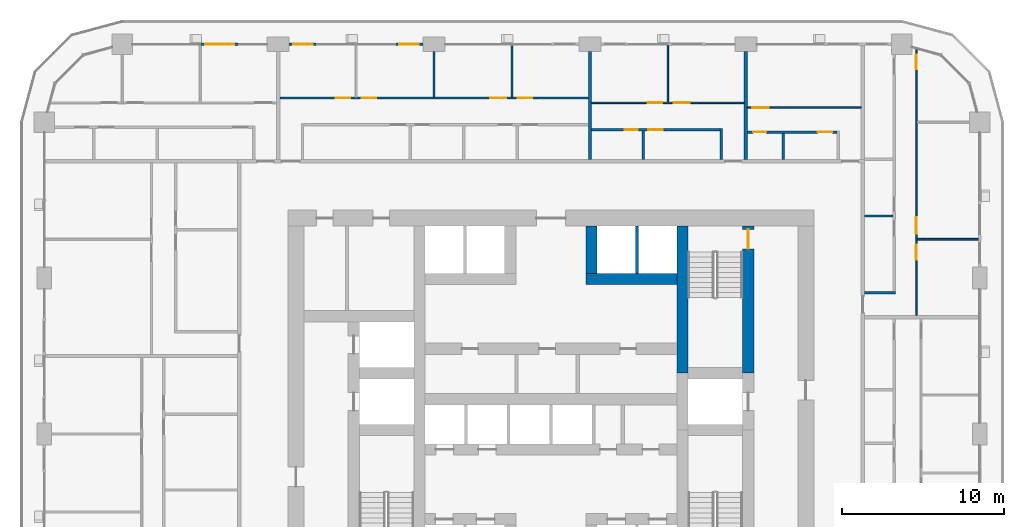
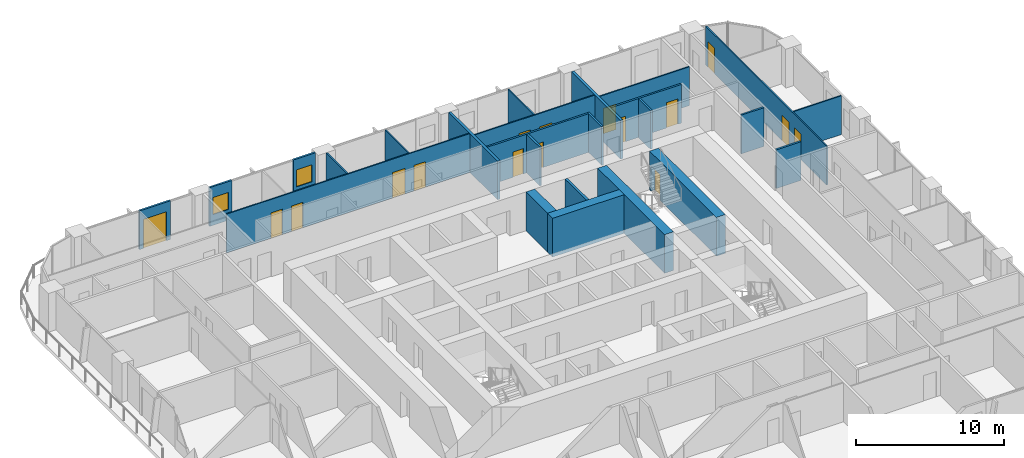
# One storey, part 14 of 21: 25 walls, 16 doors, 2 windows, 18 openings.
"""IFC4 building model written with IfcOpenShell, lengths in metres."""

from ifc_helpers import new_model, si_unit, direction, frame, frame_2d, origin, place, context, subcontext, project, spatial, rectangle, extrude, material, layer, layer_set, type_object, element, fill, save


model = new_model("IFC4")

# Units and contexts
model_context = context("Model", 3, precision=1e-05, world=origin(), true_north=direction((0.0, 1.0)))
body_context = subcontext(model_context, "Body", "Model", "MODEL_VIEW")
ifc_project = project(units=[si_unit("LENGTHUNIT", "METRE"), si_unit("AREAUNIT", "SQUARE_METRE"), si_unit("VOLUMEUNIT", "CUBIC_METRE"), si_unit("PLANEANGLEUNIT", "RADIAN"), si_unit("MASSUNIT", "GRAM", prefix="KILO")], contexts=[model_context])

# Site, building, storey
site_placement = place(None, origin())
site = spatial("IfcSite", under=ifc_project, at=site_placement, CompositionType="ELEMENT")
building_placement = place(site_placement, origin())
building = spatial("IfcBuilding", under=site, at=building_placement, Name="Madar Terraces", CompositionType="ELEMENT")
storey_placement = place(building_placement, frame((0.0, 0.0, 32.89990234375)))
storey = spatial("IfcBuildingStorey", under=building, at=storey_placement, Name="L07", CompositionType="ELEMENT", Elevation=32.89990234375)

# Wall
ifc_material_1 = material(Name="Concrete C80/95", Category="concrete")
ifc_layer_1 = layer(ifc_material_1, 0.699951171875)
ifc_layer_set_1 = layer_set([ifc_layer_1], Name="Concrete C80/95 (CIW1 RC wall 700)")
wall_type_1 = type_object("IfcWallType", Name="CIW1 RC wall 700", PredefinedType="SHEAR", material=ifc_layer_set_1)
wall_1_placement = place(storey_placement, frame((39.300048828125, 27.75, 0.0), z_axis=(0.0, 0.0, 1.0), x_axis=(0.0, 1.0, 0.0)))
element("IfcWall", 1, at=wall_1_placement, inside=storey, type_object=wall_type_1, Name="CORE SHAFT WALL", PredefinedType="SHEAR", context=body_context, shape_type="SweptSolid", body=[
    extrude(rectangle(XDim=9.050048828125, YDim=0.699951171875, at=frame_2d((4.52490234375, 0.0))), origin(), (0.0, 0.0, 1.0), 3.2001953125),
])

# Wall, opening, door
wall_2_placement = place(storey_placement, frame((43.35009765625, 27.75, 0.0), z_axis=(0.0, 0.0, 1.0), x_axis=(0.0, 1.0, 0.0)))
wall_2 = element("IfcWall", 2, at=wall_2_placement, inside=storey, type_object=wall_type_1, Name="CORE SHAFT WALL", PredefinedType="SHEAR", context=body_context, shape_type="SweptSolid", body=[
    extrude(rectangle(XDim=9.050048828125, YDim=0.699951171875, at=frame_2d((4.52490234375, 0.0))), origin(), (0.0, 0.0, 1.0), 3.2001953125),
])
opening_1_placement = place(wall_2_placement, frame((7.64990234375, 0.0, 0.0)))
opening_1 = element("IfcOpeningElement", 3, at=opening_1_placement, cuts=wall_2, Name="Opening SD1", PredefinedType="OPENING", context=body_context, shape_type="SweptSolid", body=[
    extrude(rectangle(XDim=1.199951171875, YDim=2.10009765625, at=frame_2d((0.60009765625, 1.050048828125))), frame((0.0, 0.35986328125, 0.0), z_axis=(0.0, -1.0, 0.0), x_axis=(1.0, 0.0, 0.0)), (0.0, 0.0, 1.0), 0.719970703125),
])
ifc_material_2 = material(Name="Steel door leaf", Category="steel")
door_type_1 = type_object("IfcDoorType", Name="Stair door 1200 x 2100", OperationType="NOTDEFINED", PredefinedType="DOOR", material=ifc_material_2)
door_1_placement = place(opening_1_placement, origin())
door_1 = element("IfcDoor", 4, at=door_1_placement, inside=storey, type_object=door_type_1, Name="STAIR DOOR", OperationType="SINGLE_SWING_LEFT", OverallHeight=2.10009765625, OverallWidth=1.199951171875, PredefinedType="DOOR", context=body_context, shape_type="SweptSolid", body=[
    extrude(rectangle(XDim=1.199951171875, YDim=2.10009765625, at=frame_2d((0.60009765625, 1.050048828125))), frame((0.0, 0.02490234375, 0.0), z_axis=(0.0, -1.0, 0.0), x_axis=(1.0, 0.0, 0.0)), (0.0, 0.0, 1.0), 0.050048828125),
])
fill(opening_1, door_1)

# Walls
wall_3_placement = place(storey_placement, frame((33.35009765625, 33.550048828125, 0.0), z_axis=(0.0, 0.0, 1.0), x_axis=(1.0, 0.0, 0.0)))
element("IfcWall", 5, at=wall_3_placement, inside=storey, type_object=wall_type_1, Name="CORE SHAFT WALL", PredefinedType="SHEAR", context=body_context, shape_type="SweptSolid", body=[
    extrude(rectangle(XDim=5.599853515625, YDim=0.699951171875, at=frame_2d((2.7998046875, 0.0))), origin(), (0.0, 0.0, 1.0), 3.2001953125),
])
wall_4_placement = place(storey_placement, frame((33.699951171875, 33.89990234375, 0.0), z_axis=(0.0, 0.0, 1.0), x_axis=(0.0, 1.0, 0.0)))
element("IfcWall", 6, at=wall_4_placement, inside=storey, type_object=wall_type_1, Name="CORE SHAFT WALL", PredefinedType="SHEAR", context=body_context, shape_type="SweptSolid", body=[
    extrude(rectangle(XDim=2.900146484375, YDim=0.699951171875, at=frame_2d((1.4501953125, 0.0))), origin(), (0.0, 0.0, 1.0), 3.2001953125),
])
ifc_material_3 = material(Name="Concrete C40/50", Category="concrete")
ifc_layer_2 = layer(ifc_material_3, 0.199951171875)
ifc_layer_set_2 = layer_set([ifc_layer_2], Name="Core shaft dividing wall 200 C40/50")
wall_type_2 = type_object("IfcWallType", Name="Core shaft dividing wall 200 C40/50", PredefinedType="SOLIDWALL", material=ifc_layer_set_2)
wall_5_placement = place(storey_placement, frame((36.5, 33.89990234375, 0.0), z_axis=(0.0, 0.0, 1.0), x_axis=(0.0, 1.0, 0.0)))
element("IfcWall", 7, at=wall_5_placement, inside=storey, type_object=wall_type_2, Name="SHAFT DIVIDING WALL", PredefinedType="SOLIDWALL", context=body_context, shape_type="SweptSolid", body=[
    extrude(rectangle(XDim=2.900146484375, YDim=0.199951171875, at=frame_2d((1.4501953125, 0.0))), origin(), (0.0, 0.0, 1.0), 3.2001953125),
])

# Wall, opening, window
ifc_material_4 = material(Name="Aluminium composite panel, black, over insulated backing", Category="aluminium")
ifc_layer_3 = layer(ifc_material_4, 0.14990234375)
ifc_layer_set_3 = layer_set([ifc_layer_3], Name="Facade bay panel 150")
wall_type_3 = type_object("IfcWallType", Name="Facade bay panel 150", PredefinedType="SOLIDWALL", material=ifc_layer_set_3)
wall_6_placement = place(storey_placement, frame((23.324951171875, 48.0, 0.0), z_axis=(0.0, 0.0, 1.0), x_axis=(-1.0, 0.0, 0.0)))
wall_6 = element("IfcWall", 8, at=wall_6_placement, inside=storey, type_object=wall_type_3, Name="Facade bay panel", PredefinedType="SOLIDWALL", context=body_context, shape_type="SweptSolid", body=[
    extrude(rectangle(XDim=1.724853515625, YDim=0.14990234375, at=frame_2d((0.8623046875, 0.0))), origin(), (0.0, 0.0, 1.0), 3.2001953125),
])
opening_2_placement = place(wall_6_placement, frame((0.262451171875, 0.0, 0.89990234375)))
opening_2 = element("IfcOpeningElement", 9, at=opening_2_placement, cuts=wall_6, Name="Opening W1", PredefinedType="OPENING", context=body_context, shape_type="SweptSolid", body=[
    extrude(rectangle(XDim=1.199951171875, YDim=1.39990234375, at=frame_2d((0.60009765625, 0.699951171875))), frame((0.0, 0.0849609375, 0.0), z_axis=(0.0, -1.0, 0.0), x_axis=(1.0, 0.0, 0.0)), (0.0, 0.0, 1.0), 0.169921875),
])
ifc_material_5 = material(Name="Glass, clear, with black aluminium frame", Category="aluminium")
window_type = type_object("IfcWindowType", Name="Vent window 1200 x 1400", PartitioningType="SINGLE_PANEL", PredefinedType="WINDOW", material=ifc_material_5)
window_1_placement = place(opening_2_placement, origin())
window_1 = element("IfcWindow", 10, at=window_1_placement, inside=storey, type_object=window_type, Name="Operable vent window", OverallHeight=1.39990234375, OverallWidth=1.199951171875, PartitioningType="SINGLE_PANEL", PredefinedType="WINDOW", context=body_context, shape_type="SweptSolid", body=[
    extrude(rectangle(XDim=1.199951171875, YDim=1.39990234375, at=frame_2d((0.60009765625, 0.699951171875))), frame((0.0, 0.030029296875, 0.0), z_axis=(0.0, -1.0, 0.0), x_axis=(1.0, 0.0, 0.0)), (0.0, 0.0, 1.0), 0.06005859375),
])
fill(opening_2, window_1)

wall_7_placement = place(storey_placement, frame((16.800048828125, 48.0, 0.0), z_axis=(0.0, 0.0, 1.0), x_axis=(-1.0, 0.0, 0.0)))
wall_7 = element("IfcWall", 11, at=wall_7_placement, inside=storey, type_object=wall_type_3, Name="Facade bay panel", PredefinedType="SOLIDWALL", context=body_context, shape_type="SweptSolid", body=[
    extrude(rectangle(XDim=1.72509765625, YDim=0.14990234375, at=frame_2d((0.862548828125, 0.0))), origin(), (0.0, 0.0, 1.0), 3.2001953125),
])
opening_3_placement = place(wall_7_placement, frame((0.262451171875, 0.0, 0.89990234375)))
opening_3 = element("IfcOpeningElement", 12, at=opening_3_placement, cuts=wall_7, Name="Opening W1", PredefinedType="OPENING", context=body_context, shape_type="SweptSolid", body=[
    extrude(rectangle(XDim=1.199951171875, YDim=1.39990234375, at=frame_2d((0.60009765625, 0.699951171875))), frame((0.0, 0.0849609375, 0.0), z_axis=(0.0, -1.0, 0.0), x_axis=(1.0, 0.0, 0.0)), (0.0, 0.0, 1.0), 0.169921875),
])
window_2_placement = place(opening_3_placement, origin())
window_2 = element("IfcWindow", 13, at=window_2_placement, inside=storey, type_object=window_type, Name="Operable vent window", OverallHeight=1.39990234375, OverallWidth=1.199951171875, PartitioningType="SINGLE_PANEL", PredefinedType="WINDOW", context=body_context, shape_type="SweptSolid", body=[
    extrude(rectangle(XDim=1.199951171875, YDim=1.39990234375, at=frame_2d((0.60009765625, 0.699951171875))), frame((0.0, 0.030029296875, 0.0), z_axis=(0.0, -1.0, 0.0), x_axis=(1.0, 0.0, 0.0)), (0.0, 0.0, 1.0), 0.06005859375),
])
fill(opening_3, window_2)

# Wall, opening, door
wall_8_placement = place(storey_placement, frame((12.0, 48.0, 0.0), z_axis=(0.0, 0.0, 1.0), x_axis=(-1.0, 0.0, 0.0)))
wall_8 = element("IfcWall", 14, at=wall_8_placement, inside=storey, type_object=wall_type_3, Name="Facade bay panel", PredefinedType="SOLIDWALL", context=body_context, shape_type="SweptSolid", body=[
    extrude(rectangle(XDim=2.39990234375, YDim=0.14990234375, at=frame_2d((1.199951171875, 0.0))), origin(), (0.0, 0.0, 1.0), 3.2001953125),
])
opening_4_placement = place(wall_8_placement, frame((0.300048828125, 0.0, 0.0)))
opening_4 = element("IfcOpeningElement", 15, at=opening_4_placement, cuts=wall_8, Name="Opening ED1", PredefinedType="OPENING", context=body_context, shape_type="SweptSolid", body=[
    extrude(rectangle(XDim=1.800048828125, YDim=2.39990234375, at=frame_2d((0.89990234375, 1.199951171875))), frame((0.0, 0.0849609375, 0.0), z_axis=(0.0, -1.0, 0.0), x_axis=(1.0, 0.0, 0.0)), (0.0, 0.0, 1.0), 0.169921875),
])
ifc_material_6 = material(Name="Glass, clear, with black aluminium frame", Category="aluminium")
door_type_2 = type_object("IfcDoorType", Name="Balcony and terrace sliding door 1800 x 2400", OperationType="SLIDING_TO_LEFT", PredefinedType="DOOR", material=ifc_material_6)
door_2_placement = place(opening_4_placement, origin())
door_2 = element("IfcDoor", 16, at=door_2_placement, inside=storey, type_object=door_type_2, Name="Balcony door", OperationType="SLIDING_TO_LEFT", OverallHeight=2.39990234375, OverallWidth=1.800048828125, PredefinedType="DOOR", context=body_context, shape_type="SweptSolid", body=[
    extrude(rectangle(XDim=1.800048828125, YDim=2.39990234375, at=frame_2d((0.89990234375, 1.199951171875))), frame((0.0, 0.02490234375, 0.0), z_axis=(0.0, -1.0, 0.0), x_axis=(1.0, 0.0, 0.0)), (0.0, 0.0, 1.0), 0.050048828125),
])
fill(opening_4, door_2)

# Wall
ifc_material_7 = material(Name="Gypsum board on steel studs", Category="steel")
ifc_layer_4 = layer(ifc_material_7, 0.10009765625)
ifc_layer_set_4 = layer_set([ifc_layer_4], Name="Flat partition 100")
wall_type_4 = type_object("IfcWallType", Name="Flat partition 100", PredefinedType="PARTITIONING", material=ifc_layer_set_4)
wall_9_placement = place(storey_placement, frame((53.75, 36.0, 0.0), z_axis=(0.0, 0.0, 1.0), x_axis=(1.0, 0.0, 0.0)))
element("IfcWall", 17, at=wall_9_placement, inside=storey, type_object=wall_type_4, Name="Flat partition 100", PredefinedType="PARTITIONING", context=body_context, shape_type="SweptSolid", body=[
    extrude(rectangle(XDim=3.75, YDim=0.10009765625, at=frame_2d((1.875, 0.0))), origin(), (0.0, 0.0, 1.0), 3.2001953125),
])

# Wall, openings, doors
wall_10_placement = place(storey_placement, frame((53.699951171875, 47.65869140625, 0.0), z_axis=(0.0, 0.0, 1.0), x_axis=(0.0, -1.0, 0.0)))
wall_10 = element("IfcWall", 18, at=wall_10_placement, inside=storey, type_object=wall_type_4, Name="Flat partition 100", PredefinedType="PARTITIONING", context=body_context, shape_type="SweptSolid", body=[
    extrude(rectangle(XDim=16.358642578125, YDim=0.10009765625, at=frame_2d((8.17919921875, 0.0))), origin(), (0.0, 0.0, 1.0), 3.2001953125),
])
opening_5_placement = place(wall_10_placement, frame((12.0087890625, 0.0, 0.0)))
opening_5 = element("IfcOpeningElement", 19, at=opening_5_placement, cuts=wall_10, Name="Opening D2", PredefinedType="OPENING", context=body_context, shape_type="SweptSolid", body=[
    extrude(rectangle(XDim=0.89990234375, YDim=2.10009765625, at=frame_2d((0.449951171875, 1.050048828125))), frame((0.0, 0.06005859375, 0.0), z_axis=(0.0, -1.0, 0.0), x_axis=(1.0, 0.0, 0.0)), (0.0, 0.0, 1.0), 0.1201171875),
])
opening_6_placement = place(wall_10_placement, frame((10.308837890625, 0.0, 0.0)))
opening_6 = element("IfcOpeningElement", 20, at=opening_6_placement, cuts=wall_10, Name="Opening D3", PredefinedType="OPENING", context=body_context, shape_type="SweptSolid", body=[
    extrude(rectangle(XDim=1.0, YDim=2.10009765625, at=frame_2d((0.5, 1.050048828125))), frame((0.0, 0.06005859375, 0.0), z_axis=(0.0, -1.0, 0.0), x_axis=(1.0, 0.0, 0.0)), (0.0, 0.0, 1.0), 0.1201171875),
])
opening_7_placement = place(wall_10_placement, frame((0.300048828125, 0.0, 0.0)))
opening_7 = element("IfcOpeningElement", 21, at=opening_7_placement, cuts=wall_10, Name="Opening D2", PredefinedType="OPENING", context=body_context, shape_type="SweptSolid", body=[
    extrude(rectangle(XDim=0.89990234375, YDim=2.10009765625, at=frame_2d((0.449951171875, 1.050048828125))), frame((0.0, 0.06005859375, 0.0), z_axis=(0.0, -1.0, 0.0), x_axis=(1.0, 0.0, 0.0)), (0.0, 0.0, 1.0), 0.1201171875),
])
ifc_material_8 = material(Name="Timber door leaf", Category="wood")
door_type_3 = type_object("IfcDoorType", Name="Flat living room door 1000", OperationType="NOTDEFINED", PredefinedType="DOOR", material=ifc_material_8)
door_3_placement = place(opening_6_placement, origin())
door_3 = element("IfcDoor", 22, at=door_3_placement, inside=storey, type_object=door_type_3, Name="Flat living room door 1000", OperationType="SINGLE_SWING_RIGHT", OverallHeight=2.10009765625, OverallWidth=1.0, PredefinedType="DOOR", context=body_context, shape_type="SweptSolid", body=[
    extrude(rectangle(XDim=1.0, YDim=2.10009765625, at=frame_2d((0.5, 1.050048828125))), frame((0.0, 0.02490234375, 0.0), z_axis=(0.0, -1.0, 0.0), x_axis=(1.0, 0.0, 0.0)), (0.0, 0.0, 1.0), 0.050048828125),
])
fill(opening_6, door_3)
ifc_material_9 = material(Name="Timber door leaf", Category="wood")
door_type_4 = type_object("IfcDoorType", Name="Flat room door 900", OperationType="NOTDEFINED", PredefinedType="DOOR", material=ifc_material_9)
door_4_placement = place(opening_5_placement, origin())
door_4 = element("IfcDoor", 23, at=door_4_placement, inside=storey, type_object=door_type_4, Name="Flat room door 900", OperationType="SINGLE_SWING_LEFT", OverallHeight=2.10009765625, OverallWidth=0.89990234375, PredefinedType="DOOR", context=body_context, shape_type="SweptSolid", body=[
    extrude(rectangle(XDim=0.89990234375, YDim=2.10009765625, at=frame_2d((0.449951171875, 1.050048828125))), frame((0.0, 0.02490234375, 0.0), z_axis=(0.0, -1.0, 0.0), x_axis=(1.0, 0.0, 0.0)), (0.0, 0.0, 1.0), 0.050048828125),
])
fill(opening_5, door_4)
door_5_placement = place(opening_7_placement, origin())
door_5 = element("IfcDoor", 24, at=door_5_placement, inside=storey, type_object=door_type_4, Name="Flat room door 900", OperationType="SINGLE_SWING_LEFT", OverallHeight=2.10009765625, OverallWidth=0.89990234375, PredefinedType="DOOR", context=body_context, shape_type="SweptSolid", body=[
    extrude(rectangle(XDim=0.89990234375, YDim=2.10009765625, at=frame_2d((0.449951171875, 1.050048828125))), frame((0.0, 0.02490234375, 0.0), z_axis=(0.0, -1.0, 0.0), x_axis=(1.0, 0.0, 0.0)), (0.0, 0.0, 1.0), 0.050048828125),
])
fill(opening_7, door_5)

# Wall, opening, door
wall_11_placement = place(storey_placement, frame((43.300048828125, 44.10009765625, 0.0), z_axis=(0.0, 0.0, 1.0), x_axis=(1.0, 0.0, 0.0)))
wall_11 = element("IfcWall", 25, at=wall_11_placement, inside=storey, type_object=wall_type_4, Name="Flat partition 100", PredefinedType="PARTITIONING", context=body_context, shape_type="SweptSolid", body=[
    extrude(rectangle(XDim=7.0, YDim=0.10009765625, at=frame_2d((3.5, 0.0))), origin(), (0.0, 0.0, 1.0), 3.2001953125),
])
opening_8_placement = place(wall_11_placement, frame((0.300048828125, 0.0, 0.0)))
opening_8 = element("IfcOpeningElement", 26, at=opening_8_placement, cuts=wall_11, Name="Opening D3", PredefinedType="OPENING", context=body_context, shape_type="SweptSolid", body=[
    extrude(rectangle(XDim=1.0, YDim=2.10009765625, at=frame_2d((0.5, 1.050048828125))), frame((0.0, 0.06005859375, 0.0), z_axis=(0.0, -1.0, 0.0), x_axis=(1.0, 0.0, 0.0)), (0.0, 0.0, 1.0), 0.1201171875),
])
door_6_placement = place(opening_8_placement, origin())
door_6 = element("IfcDoor", 27, at=door_6_placement, inside=storey, type_object=door_type_3, Name="Flat living room door 1000", OperationType="SINGLE_SWING_LEFT", OverallHeight=2.10009765625, OverallWidth=1.0, PredefinedType="DOOR", context=body_context, shape_type="SweptSolid", body=[
    extrude(rectangle(XDim=1.0, YDim=2.10009765625, at=frame_2d((0.5, 1.050048828125))), frame((0.0, 0.02490234375, 0.0), z_axis=(0.0, -1.0, 0.0), x_axis=(1.0, 0.0, 0.0)), (0.0, 0.0, 1.0), 0.050048828125),
])
fill(opening_8, door_6)

# Wall
wall_12_placement = place(storey_placement, frame((38.39990234375, 44.449951171875, 0.0), z_axis=(0.0, 0.0, 1.0), x_axis=(0.0, 1.0, 0.0)))
element("IfcWall", 28, at=wall_12_placement, inside=storey, type_object=wall_type_4, Name="Flat partition 100", PredefinedType="PARTITIONING", context=body_context, shape_type="SweptSolid", body=[
    extrude(rectangle(XDim=3.449951171875, YDim=0.10009765625, at=frame_2d((1.72509765625, 0.0))), origin(), (0.0, 0.0, 1.0), 3.2001953125),
])

# Wall, openings, doors
wall_13_placement = place(storey_placement, frame((33.699951171875, 44.39990234375, 0.0), z_axis=(0.0, 0.0, 1.0), x_axis=(1.0, 0.0, 0.0)))
wall_13 = element("IfcWall", 29, at=wall_13_placement, inside=storey, type_object=wall_type_4, Name="Flat partition 100", PredefinedType="PARTITIONING", context=body_context, shape_type="SweptSolid", body=[
    extrude(rectangle(XDim=9.400146484375, YDim=0.10009765625, at=frame_2d((4.7001953125, 0.0))), origin(), (0.0, 0.0, 1.0), 3.2001953125),
])
opening_9_placement = place(wall_13_placement, frame((5.050048828125, 0.0, 0.0)))
opening_9 = element("IfcOpeningElement", 30, at=opening_9_placement, cuts=wall_13, Name="Opening D3", PredefinedType="OPENING", context=body_context, shape_type="SweptSolid", body=[
    extrude(rectangle(XDim=1.0, YDim=2.10009765625, at=frame_2d((0.5, 1.050048828125))), frame((0.0, 0.06005859375, 0.0), z_axis=(0.0, -1.0, 0.0), x_axis=(1.0, 0.0, 0.0)), (0.0, 0.0, 1.0), 0.1201171875),
])
opening_10_placement = place(wall_13_placement, frame((3.449951171875, 0.0, 0.0)))
opening_10 = element("IfcOpeningElement", 31, at=opening_10_placement, cuts=wall_13, Name="Opening D2", PredefinedType="OPENING", context=body_context, shape_type="SweptSolid", body=[
    extrude(rectangle(XDim=0.89990234375, YDim=2.10009765625, at=frame_2d((0.449951171875, 1.050048828125))), frame((0.0, 0.06005859375, 0.0), z_axis=(0.0, -1.0, 0.0), x_axis=(1.0, 0.0, 0.0)), (0.0, 0.0, 1.0), 0.1201171875),
])
door_7_placement = place(opening_9_placement, origin())
door_7 = element("IfcDoor", 32, at=door_7_placement, inside=storey, type_object=door_type_3, Name="Flat living room door 1000", OperationType="SINGLE_SWING_LEFT", OverallHeight=2.10009765625, OverallWidth=1.0, PredefinedType="DOOR", context=body_context, shape_type="SweptSolid", body=[
    extrude(rectangle(XDim=1.0, YDim=2.10009765625, at=frame_2d((0.5, 1.050048828125))), frame((0.0, 0.02490234375, 0.0), z_axis=(0.0, -1.0, 0.0), x_axis=(1.0, 0.0, 0.0)), (0.0, 0.0, 1.0), 0.050048828125),
])
fill(opening_9, door_7)
door_8_placement = place(opening_10_placement, origin())
door_8 = element("IfcDoor", 33, at=door_8_placement, inside=storey, type_object=door_type_4, Name="Flat room door 900", OperationType="SINGLE_SWING_RIGHT", OverallHeight=2.10009765625, OverallWidth=0.89990234375, PredefinedType="DOOR", context=body_context, shape_type="SweptSolid", body=[
    extrude(rectangle(XDim=0.89990234375, YDim=2.10009765625, at=frame_2d((0.449951171875, 1.050048828125))), frame((0.0, 0.02490234375, 0.0), z_axis=(0.0, -1.0, 0.0), x_axis=(1.0, 0.0, 0.0)), (0.0, 0.0, 1.0), 0.050048828125),
])
fill(opening_10, door_8)

# Walls
wall_14_placement = place(storey_placement, frame((24.0, 44.75, 0.0), z_axis=(0.0, 0.0, 1.0), x_axis=(0.0, 1.0, 0.0)))
element("IfcWall", 34, at=wall_14_placement, inside=storey, type_object=wall_type_4, Name="Flat partition 100", PredefinedType="PARTITIONING", context=body_context, shape_type="SweptSolid", body=[
    extrude(rectangle(XDim=2.800048828125, YDim=0.10009765625, at=frame_2d((1.39990234375, 0.0))), origin(), (0.0, 0.0, 1.0), 3.2001953125),
])
wall_15_placement = place(storey_placement, frame((28.800048828125, 44.75, 0.0), z_axis=(0.0, 0.0, 1.0), x_axis=(0.0, 1.0, 0.0)))
element("IfcWall", 35, at=wall_15_placement, inside=storey, type_object=wall_type_4, Name="Flat partition 100", PredefinedType="PARTITIONING", context=body_context, shape_type="SweptSolid", body=[
    extrude(rectangle(XDim=3.14990234375, YDim=0.10009765625, at=frame_2d((1.574951171875, 0.0))), origin(), (0.0, 0.0, 1.0), 3.2001953125),
])

# Wall, openings, doors
wall_16_placement = place(storey_placement, frame((14.5, 44.699951171875, 0.0), z_axis=(0.0, 0.0, 1.0), x_axis=(1.0, 0.0, 0.0)))
wall_16 = element("IfcWall", 36, at=wall_16_placement, inside=storey, type_object=wall_type_4, Name="Flat partition 100", PredefinedType="PARTITIONING", context=body_context, shape_type="SweptSolid", body=[
    extrude(rectangle(XDim=19.0, YDim=0.10009765625, at=frame_2d((9.5, 0.0))), origin(), (0.0, 0.0, 1.0), 3.2001953125),
])
opening_11_placement = place(wall_16_placement, frame((3.449951171875, 0.0, 0.0)))
opening_11 = element("IfcOpeningElement", 37, at=opening_11_placement, cuts=wall_16, Name="Opening D2", PredefinedType="OPENING", context=body_context, shape_type="SweptSolid", body=[
    extrude(rectangle(XDim=0.89990234375, YDim=2.10009765625, at=frame_2d((0.449951171875, 1.050048828125))), frame((0.0, 0.06005859375, 0.0), z_axis=(0.0, -1.0, 0.0), x_axis=(1.0, 0.0, 0.0)), (0.0, 0.0, 1.0), 0.1201171875),
])
opening_12_placement = place(wall_16_placement, frame((5.050048828125, 0.0, 0.0)))
opening_12 = element("IfcOpeningElement", 38, at=opening_12_placement, cuts=wall_16, Name="Opening D2", PredefinedType="OPENING", context=body_context, shape_type="SweptSolid", body=[
    extrude(rectangle(XDim=0.89990234375, YDim=2.10009765625, at=frame_2d((0.449951171875, 1.050048828125))), frame((0.0, 0.06005859375, 0.0), z_axis=(0.0, -1.0, 0.0), x_axis=(1.0, 0.0, 0.0)), (0.0, 0.0, 1.0), 0.1201171875),
])
opening_13_placement = place(wall_16_placement, frame((12.949951171875, 0.0, 0.0)))
opening_13 = element("IfcOpeningElement", 39, at=opening_13_placement, cuts=wall_16, Name="Opening D3", PredefinedType="OPENING", context=body_context, shape_type="SweptSolid", body=[
    extrude(rectangle(XDim=1.0, YDim=2.10009765625, at=frame_2d((0.5, 1.050048828125))), frame((0.0, 0.06005859375, 0.0), z_axis=(0.0, -1.0, 0.0), x_axis=(1.0, 0.0, 0.0)), (0.0, 0.0, 1.0), 0.1201171875),
])
opening_14_placement = place(wall_16_placement, frame((14.64990234375, 0.0, 0.0)))
opening_14 = element("IfcOpeningElement", 40, at=opening_14_placement, cuts=wall_16, Name="Opening D2", PredefinedType="OPENING", context=body_context, shape_type="SweptSolid", body=[
    extrude(rectangle(XDim=0.89990234375, YDim=2.10009765625, at=frame_2d((0.449951171875, 1.050048828125))), frame((0.0, 0.06005859375, 0.0), z_axis=(0.0, -1.0, 0.0), x_axis=(1.0, 0.0, 0.0)), (0.0, 0.0, 1.0), 0.1201171875),
])
door_9_placement = place(opening_13_placement, origin())
door_9 = element("IfcDoor", 41, at=door_9_placement, inside=storey, type_object=door_type_3, Name="Flat living room door 1000", OperationType="SINGLE_SWING_RIGHT", OverallHeight=2.10009765625, OverallWidth=1.0, PredefinedType="DOOR", context=body_context, shape_type="SweptSolid", body=[
    extrude(rectangle(XDim=1.0, YDim=2.10009765625, at=frame_2d((0.5, 1.050048828125))), frame((0.0, 0.02490234375, 0.0), z_axis=(0.0, -1.0, 0.0), x_axis=(1.0, 0.0, 0.0)), (0.0, 0.0, 1.0), 0.050048828125),
])
fill(opening_13, door_9)
door_10_placement = place(opening_11_placement, origin())
door_10 = element("IfcDoor", 42, at=door_10_placement, inside=storey, type_object=door_type_4, Name="Flat room door 900", OperationType="SINGLE_SWING_RIGHT", OverallHeight=2.10009765625, OverallWidth=0.89990234375, PredefinedType="DOOR", context=body_context, shape_type="SweptSolid", body=[
    extrude(rectangle(XDim=0.89990234375, YDim=2.10009765625, at=frame_2d((0.449951171875, 1.050048828125))), frame((0.0, 0.02490234375, 0.0), z_axis=(0.0, -1.0, 0.0), x_axis=(1.0, 0.0, 0.0)), (0.0, 0.0, 1.0), 0.050048828125),
])
fill(opening_11, door_10)
door_11_placement = place(opening_12_placement, origin())
door_11 = element("IfcDoor", 43, at=door_11_placement, inside=storey, type_object=door_type_4, Name="Flat room door 900", OperationType="SINGLE_SWING_LEFT", OverallHeight=2.10009765625, OverallWidth=0.89990234375, PredefinedType="DOOR", context=body_context, shape_type="SweptSolid", body=[
    extrude(rectangle(XDim=0.89990234375, YDim=2.10009765625, at=frame_2d((0.449951171875, 1.050048828125))), frame((0.0, 0.02490234375, 0.0), z_axis=(0.0, -1.0, 0.0), x_axis=(1.0, 0.0, 0.0)), (0.0, 0.0, 1.0), 0.050048828125),
])
fill(opening_12, door_11)
door_12_placement = place(opening_14_placement, origin())
door_12 = element("IfcDoor", 44, at=door_12_placement, inside=storey, type_object=door_type_4, Name="Flat room door 900", OperationType="SINGLE_SWING_LEFT", OverallHeight=2.10009765625, OverallWidth=0.89990234375, PredefinedType="DOOR", context=body_context, shape_type="SweptSolid", body=[
    extrude(rectangle(XDim=0.89990234375, YDim=2.10009765625, at=frame_2d((0.449951171875, 1.050048828125))), frame((0.0, 0.02490234375, 0.0), z_axis=(0.0, -1.0, 0.0), x_axis=(1.0, 0.0, 0.0)), (0.0, 0.0, 1.0), 0.050048828125),
])
fill(opening_14, door_12)

# Walls
ifc_material_10 = material(Name="Lightweight blockwork", Category="masonry")
ifc_layer_5 = layer(ifc_material_10, 0.199951171875)
ifc_layer_set_5 = layer_set([ifc_layer_5], Name="Flat party and entrance wall 200")
wall_type_5 = type_object("IfcWallType", Name="Flat party and entrance wall 200", PredefinedType="PARTITIONING", material=ifc_layer_set_5)
for number, where, z_axis, x_axis, name in (
    (45, (43.199951171875, 47.550048828125, 0.0), (0.0, 0.0, 1.0), (0.0, -1.0, 0.0), "Flat party and entrance wall 200"),
    (46, (33.60009765625, 47.550048828125, 0.0), (0.0, 0.0, 1.0), (0.0, -1.0, 0.0), "Flat party and entrance wall 200"),
):
    element("IfcWall", number, at=place(storey_placement, frame(where, z_axis=z_axis, x_axis=x_axis)), inside=storey, type_object=wall_type_5, Name=name, PredefinedType="PARTITIONING", context=body_context, shape_type="SweptSolid", body=[
        extrude(rectangle(XDim=6.650146484375, YDim=0.199951171875, at=frame_2d((3.3251953125, 0.0))), origin(), (0.0, 0.0, 1.0), 3.2001953125),
    ])
ifc_material_11 = material(Name="Lightweight blockwork", Category="masonry")
ifc_layer_6 = layer(ifc_material_11, 0.14990234375)
ifc_layer_set_6 = layer_set([ifc_layer_6], Name="Flat wet-room partition 150")
wall_type_6 = type_object("IfcWallType", Name="Flat wet-room partition 150", PredefinedType="PARTITIONING", material=ifc_layer_set_6)
wall_17_placement = place(storey_placement, frame((50.5, 37.4287109375, 0.0), z_axis=(0.0, 0.0, 1.0), x_axis=(1.0, 0.0, 0.0)))
element("IfcWall", 47, at=wall_17_placement, inside=storey, type_object=wall_type_6, Name="Flat wet-room partition 150", PredefinedType="PARTITIONING", context=body_context, shape_type="SweptSolid", body=[
    extrude(rectangle(XDim=1.77490234375, YDim=0.14990234375, at=frame_2d((0.887451171875, 0.0))), origin(), (0.0, 0.0, 1.0), 3.2001953125),
])
wall_18_placement = place(storey_placement, frame((50.5, 32.699951171875, 0.0), z_axis=(0.0, 0.0, 1.0), x_axis=(1.0, 0.0, 0.0)))
element("IfcWall", 48, at=wall_18_placement, inside=storey, type_object=wall_type_6, Name="Flat wet-room partition 150", PredefinedType="PARTITIONING", context=body_context, shape_type="SweptSolid", body=[
    extrude(rectangle(XDim=1.925048828125, YDim=0.14990234375, at=frame_2d((0.96240234375, 0.0))), origin(), (0.0, 0.0, 1.0), 3.2001953125),
])
wall_19_placement = place(storey_placement, frame((45.510009765625, 40.89990234375, 0.0), z_axis=(0.0, 0.0, 1.0), x_axis=(0.0, 1.0, 0.0)))
element("IfcWall", 49, at=wall_19_placement, inside=storey, type_object=wall_type_6, Name="Flat wet-room partition 150", PredefinedType="PARTITIONING", context=body_context, shape_type="SweptSolid", body=[
    extrude(rectangle(XDim=1.625, YDim=0.14990234375, at=frame_2d((0.8125, 0.0))), origin(), (0.0, 0.0, 1.0), 3.2001953125),
])

# Wall, openings, doors
wall_20_placement = place(storey_placement, frame((48.824951171875, 42.60009765625, 0.0), z_axis=(0.0, 0.0, 1.0), x_axis=(-1.0, 0.0, 0.0)))
wall_20 = element("IfcWall", 50, at=wall_20_placement, inside=storey, type_object=wall_type_6, Name="Flat wet-room partition 150", PredefinedType="PARTITIONING", context=body_context, shape_type="SweptSolid", body=[
    extrude(rectangle(XDim=5.52490234375, YDim=0.14990234375, at=frame_2d((2.762451171875, 0.0))), origin(), (0.0, 0.0, 1.0), 3.2001953125),
])
opening_15_placement = place(wall_20_placement, frame((0.300048828125, 0.0, 0.0)))
opening_15 = element("IfcOpeningElement", 51, at=opening_15_placement, cuts=wall_20, Name="Opening D2", PredefinedType="OPENING", context=body_context, shape_type="SweptSolid", body=[
    extrude(rectangle(XDim=0.89990234375, YDim=2.10009765625, at=frame_2d((0.449951171875, 1.050048828125))), frame((0.0, 0.0849609375, 0.0), z_axis=(0.0, -1.0, 0.0), x_axis=(1.0, 0.0, 0.0)), (0.0, 0.0, 1.0), 0.169921875),
])
opening_16_placement = place(wall_20_placement, frame((4.375, 0.0, 0.0)))
opening_16 = element("IfcOpeningElement", 52, at=opening_16_placement, cuts=wall_20, Name="Opening D4", PredefinedType="OPENING", context=body_context, shape_type="SweptSolid", body=[
    extrude(rectangle(XDim=0.800048828125, YDim=2.10009765625, at=frame_2d((0.39990234375, 1.050048828125))), frame((0.0, 0.0849609375, 0.0), z_axis=(0.0, -1.0, 0.0), x_axis=(1.0, 0.0, 0.0)), (0.0, 0.0, 1.0), 0.169921875),
])
ifc_material_12 = material(Name="Timber door leaf", Category="wood")
door_type_5 = type_object("IfcDoorType", Name="Flat bathroom door 800", OperationType="NOTDEFINED", PredefinedType="DOOR", material=ifc_material_12)
door_13_placement = place(opening_16_placement, origin())
door_13 = element("IfcDoor", 53, at=door_13_placement, inside=storey, type_object=door_type_5, Name="Flat bathroom door 800", OperationType="SINGLE_SWING_RIGHT", OverallHeight=2.10009765625, OverallWidth=0.800048828125, PredefinedType="DOOR", context=body_context, shape_type="SweptSolid", body=[
    extrude(rectangle(XDim=0.800048828125, YDim=2.10009765625, at=frame_2d((0.39990234375, 1.050048828125))), frame((0.0, 0.02490234375, 0.0), z_axis=(0.0, -1.0, 0.0), x_axis=(1.0, 0.0, 0.0)), (0.0, 0.0, 1.0), 0.050048828125),
])
fill(opening_16, door_13)
door_14_placement = place(opening_15_placement, origin())
door_14 = element("IfcDoor", 54, at=door_14_placement, inside=storey, type_object=door_type_4, Name="Flat room door 900", OperationType="SINGLE_SWING_LEFT", OverallHeight=2.10009765625, OverallWidth=0.89990234375, PredefinedType="DOOR", context=body_context, shape_type="SweptSolid", body=[
    extrude(rectangle(XDim=0.89990234375, YDim=2.10009765625, at=frame_2d((0.449951171875, 1.050048828125))), frame((0.0, 0.02490234375, 0.0), z_axis=(0.0, -1.0, 0.0), x_axis=(1.0, 0.0, 0.0)), (0.0, 0.0, 1.0), 0.050048828125),
])
fill(opening_15, door_14)

# Walls
wall_21_placement = place(storey_placement, frame((36.8701171875, 40.89990234375, 0.0), z_axis=(0.0, 0.0, 1.0), x_axis=(0.0, 1.0, 0.0)))
element("IfcWall", 55, at=wall_21_placement, inside=storey, type_object=wall_type_6, Name="Flat wet-room partition 150", PredefinedType="PARTITIONING", context=body_context, shape_type="SweptSolid", body=[
    extrude(rectangle(XDim=1.775146484375, YDim=0.14990234375, at=frame_2d((0.8876953125, 0.0))), origin(), (0.0, 0.0, 1.0), 3.2001953125),
])
wall_22_placement = place(storey_placement, frame((41.699951171875, 40.89990234375, 0.0), z_axis=(0.0, 0.0, 1.0), x_axis=(0.0, 1.0, 0.0)))
element("IfcWall", 56, at=wall_22_placement, inside=storey, type_object=wall_type_6, Name="Flat wet-room partition 150", PredefinedType="PARTITIONING", context=body_context, shape_type="SweptSolid", body=[
    extrude(rectangle(XDim=1.925048828125, YDim=0.14990234375, at=frame_2d((0.96240234375, 0.0))), origin(), (0.0, 0.0, 1.0), 3.2001953125),
])

# Wall, openings, doors
wall_23_placement = place(storey_placement, frame((41.625, 42.75, 0.0), z_axis=(0.0, 0.0, 1.0), x_axis=(-1.0, 0.0, 0.0)))
wall_23 = element("IfcWall", 57, at=wall_23_placement, inside=storey, type_object=wall_type_6, Name="Flat wet-room partition 150", PredefinedType="PARTITIONING", context=body_context, shape_type="SweptSolid", body=[
    extrude(rectangle(XDim=7.925048828125, YDim=0.14990234375, at=frame_2d((3.96240234375, 0.0))), origin(), (0.0, 0.0, 1.0), 3.2001953125),
])
opening_17_placement = place(wall_23_placement, frame((3.530029296875, 0.0, 0.0)))
opening_17 = element("IfcOpeningElement", 58, at=opening_17_placement, cuts=wall_23, Name="Opening D2", PredefinedType="OPENING", context=body_context, shape_type="SweptSolid", body=[
    extrude(rectangle(XDim=0.89990234375, YDim=2.10009765625, at=frame_2d((0.449951171875, 1.050048828125))), frame((0.0, 0.0849609375, 0.0), z_axis=(0.0, -1.0, 0.0), x_axis=(1.0, 0.0, 0.0)), (0.0, 0.0, 1.0), 0.169921875),
])
opening_18_placement = place(wall_23_placement, frame((5.080078125, 0.0, 0.0)))
opening_18 = element("IfcOpeningElement", 59, at=opening_18_placement, cuts=wall_23, Name="Opening D4", PredefinedType="OPENING", context=body_context, shape_type="SweptSolid", body=[
    extrude(rectangle(XDim=0.800048828125, YDim=2.10009765625, at=frame_2d((0.39990234375, 1.050048828125))), frame((0.0, 0.0849609375, 0.0), z_axis=(0.0, -1.0, 0.0), x_axis=(1.0, 0.0, 0.0)), (0.0, 0.0, 1.0), 0.169921875),
])
door_15_placement = place(opening_18_placement, origin())
door_15 = element("IfcDoor", 60, at=door_15_placement, inside=storey, type_object=door_type_5, Name="Flat bathroom door 800", OperationType="SINGLE_SWING_LEFT", OverallHeight=2.10009765625, OverallWidth=0.800048828125, PredefinedType="DOOR", context=body_context, shape_type="SweptSolid", body=[
    extrude(rectangle(XDim=0.800048828125, YDim=2.10009765625, at=frame_2d((0.39990234375, 1.050048828125))), frame((0.0, 0.02490234375, 0.0), z_axis=(0.0, -1.0, 0.0), x_axis=(1.0, 0.0, 0.0)), (0.0, 0.0, 1.0), 0.050048828125),
])
fill(opening_18, door_15)
door_16_placement = place(opening_17_placement, origin())
door_16 = element("IfcDoor", 61, at=door_16_placement, inside=storey, type_object=door_type_4, Name="Flat room door 900", OperationType="SINGLE_SWING_RIGHT", OverallHeight=2.10009765625, OverallWidth=0.89990234375, PredefinedType="DOOR", context=body_context, shape_type="SweptSolid", body=[
    extrude(rectangle(XDim=0.89990234375, YDim=2.10009765625, at=frame_2d((0.449951171875, 1.050048828125))), frame((0.0, 0.02490234375, 0.0), z_axis=(0.0, -1.0, 0.0), x_axis=(1.0, 0.0, 0.0)), (0.0, 0.0, 1.0), 0.050048828125),
])
fill(opening_17, door_16)

save(model, "model.ifc")
